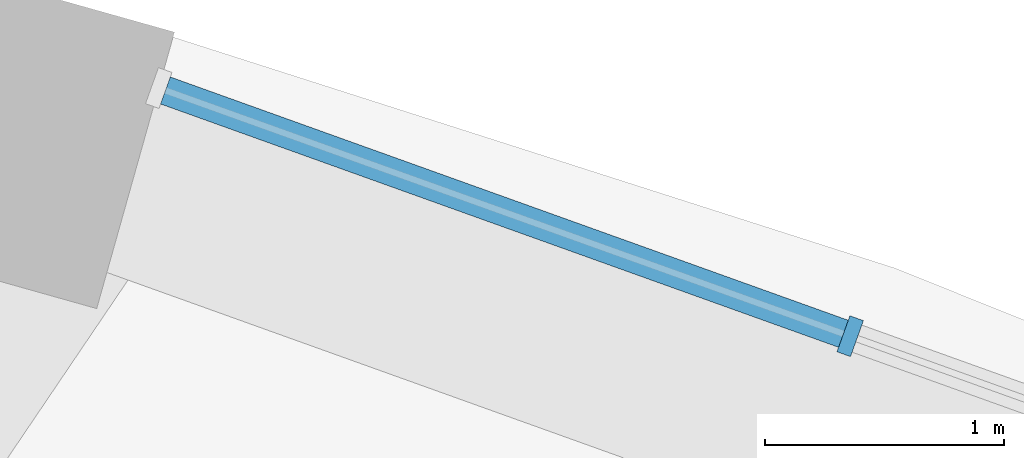
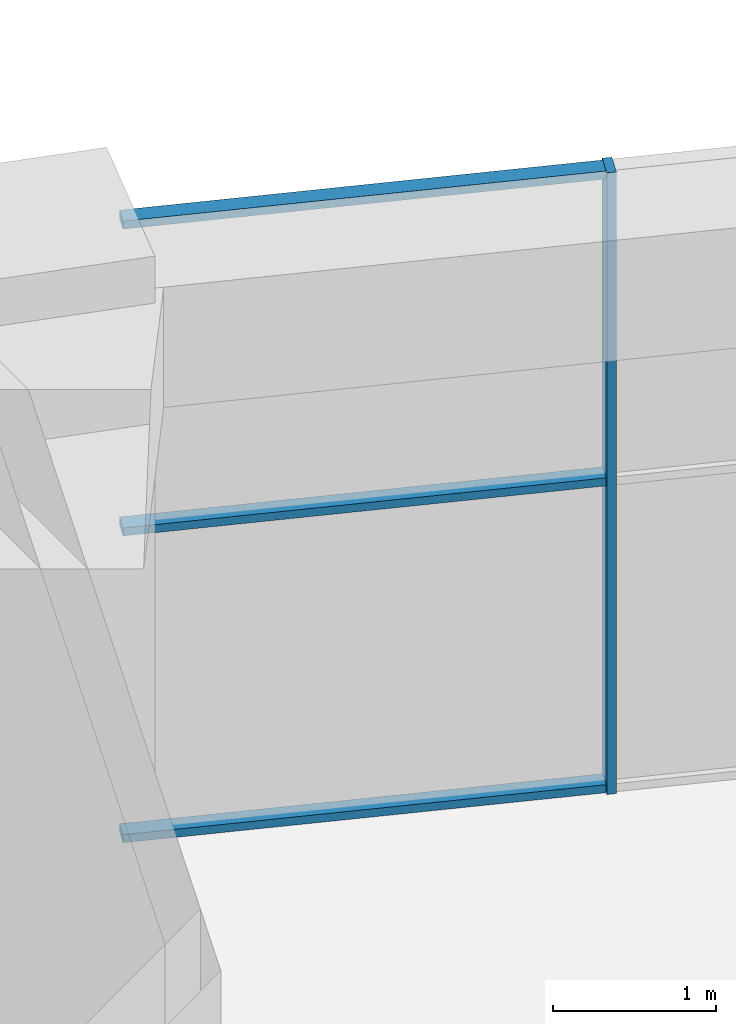
# One storey, part 17 of 30: 4 members, 1 element without a shape of its own.
"""IFC4 building model written with IfcOpenShell, lengths in metres."""

from ifc_helpers import new_model, si_unit, direction, frame, origin, origin_2d, place, context, subcontext, project, spatial, rectangle, extrude, material, material_profile, profile_set, type_object, element, aggregate, save


model = new_model("IFC4")

# Units and contexts
model_context = context("Model", 3, precision=1e-05, world=origin(), true_north=direction((0.0, 1.0)))
body_context = subcontext(model_context, "Body", "Model", "MODEL_VIEW")
ifc_project = project(units=[si_unit("LENGTHUNIT", "METRE"), si_unit("AREAUNIT", "SQUARE_METRE"), si_unit("VOLUMEUNIT", "CUBIC_METRE"), si_unit("PLANEANGLEUNIT", "RADIAN"), si_unit("MASSUNIT", "GRAM", prefix="KILO")], contexts=[model_context])

# Site, building, storey
site_placement = place(None, origin())
site = spatial("IfcSite", under=ifc_project, at=site_placement, CompositionType="ELEMENT")
building_placement = place(site_placement, origin())
building = spatial("IfcBuilding", under=site, at=building_placement, Name="Taillehof Tower", CompositionType="ELEMENT")
storey_placement = place(building_placement, frame((0.0, 0.0, 12.5)))
storey = spatial("IfcBuildingStorey", under=building, at=storey_placement, Name="L02", CompositionType="ELEMENT", Elevation=12.5)

# Curtain wall, members
ifc_material_1 = material(Name="Aluminium curtain wall with Clear low-emissivity double glazing", Category="aluminium")
curtain_wall_type = type_object("IfcCurtainWallType", Name="Podium window wall curtain wall", PredefinedType="USERDEFINED", material=ifc_material_1)
curtain_wall_placement = place(storey_placement, origin())
curtain_wall = element("IfcCurtainWall", 1, at=curtain_wall_placement, inside=storey, type_object=curtain_wall_type, Name="Podium window wall L02 bay 7", ObjectType="WINDOW WALL", PredefinedType="USERDEFINED")
ifc_material_2 = material(Name="Aluminium mullion", Category="aluminium")
ifc_material_profile_1 = material_profile(ifc_material_2, rectangle(XDim=0.159912109375, YDim=0.06005859375, at=origin_2d()), Name="AL 60x160")
ifc_profile_set_1 = profile_set([ifc_material_profile_1], Name="Aluminium mullion")
member_type_1 = type_object("IfcMemberType", Name="Podium window wall mullion 60x160", PredefinedType="MULLION", material=ifc_profile_set_1)
member_1_placement = place(storey_placement, frame((18.4072265625, 30.5302734375, 0.0), z_axis=(0.0, 0.0, 1.0), x_axis=(-0.337798502496, -0.94121845058, 0.0)))
member_1 = element("IfcMember", 2, at=member_1_placement, type_object=member_type_1, Name="CT207 mullion 2", PredefinedType="MULLION", context=body_context, shape_type="SweptSolid", body=[
    extrude(rectangle(XDim=0.159912109375, YDim=0.06005859375, at=origin_2d()), origin(), (0.0, 0.0, 1.0), 4.64990234375),
])
ifc_material_3 = material(Name="Aluminium transom", Category="aluminium")
ifc_material_profile_2 = material_profile(ifc_material_3, rectangle(XDim=0.1201171875, YDim=0.06005859375, at=origin_2d()), Name="AL 120x60")
ifc_profile_set_2 = profile_set([ifc_material_profile_2], Name="Aluminium transom")
member_type_2 = type_object("IfcMemberType", Name="Podium window wall transom 120x60", PredefinedType="USERDEFINED", material=ifc_profile_set_2)
member_2_placement = place(storey_placement, frame((18.37890625, 30.540283203125, 0.030029296875), z_axis=(-0.941225092519, 0.337779995281, 0.0), x_axis=(-0.337779995281, -0.941225092519, 0.0)))
member_2 = element("IfcMember", 3, at=member_2_placement, type_object=member_type_2, Name="CT207 transom 2.1", ObjectType="TRANSOM", PredefinedType="USERDEFINED", context=body_context, shape_type="SweptSolid", body=[
    extrude(rectangle(XDim=0.1201171875, YDim=0.06005859375, at=origin_2d()), origin(), (0.0, 0.0, 1.0), 3.009765625),
])
member_3_placement = place(storey_placement, frame((18.37890625, 30.540283203125, 2.324951171875), z_axis=(-0.941225092519, 0.337779995281, 0.0), x_axis=(-0.337779995281, -0.941225092519, 0.0)))
member_3 = element("IfcMember", 4, at=member_3_placement, type_object=member_type_2, Name="CT207 transom 2.2", ObjectType="TRANSOM", PredefinedType="USERDEFINED", context=body_context, shape_type="SweptSolid", body=[
    extrude(rectangle(XDim=0.1201171875, YDim=0.06005859375, at=origin_2d()), origin(), (0.0, 0.0, 1.0), 3.009765625),
])
member_4_placement = place(storey_placement, frame((18.37890625, 30.540283203125, 4.6201171875), z_axis=(-0.941225092519, 0.337779995281, 0.0), x_axis=(-0.337779995281, -0.941225092519, 0.0)))
member_4 = element("IfcMember", 5, at=member_4_placement, type_object=member_type_2, Name="CT207 transom 2.3", ObjectType="TRANSOM", PredefinedType="USERDEFINED", context=body_context, shape_type="SweptSolid", body=[
    extrude(rectangle(XDim=0.1201171875, YDim=0.06005859375, at=origin_2d()), origin(), (0.0, 0.0, 1.0), 3.009765625),
])
aggregate(curtain_wall, [member_1, member_2, member_3, member_4])

save(model, "model.ifc")
